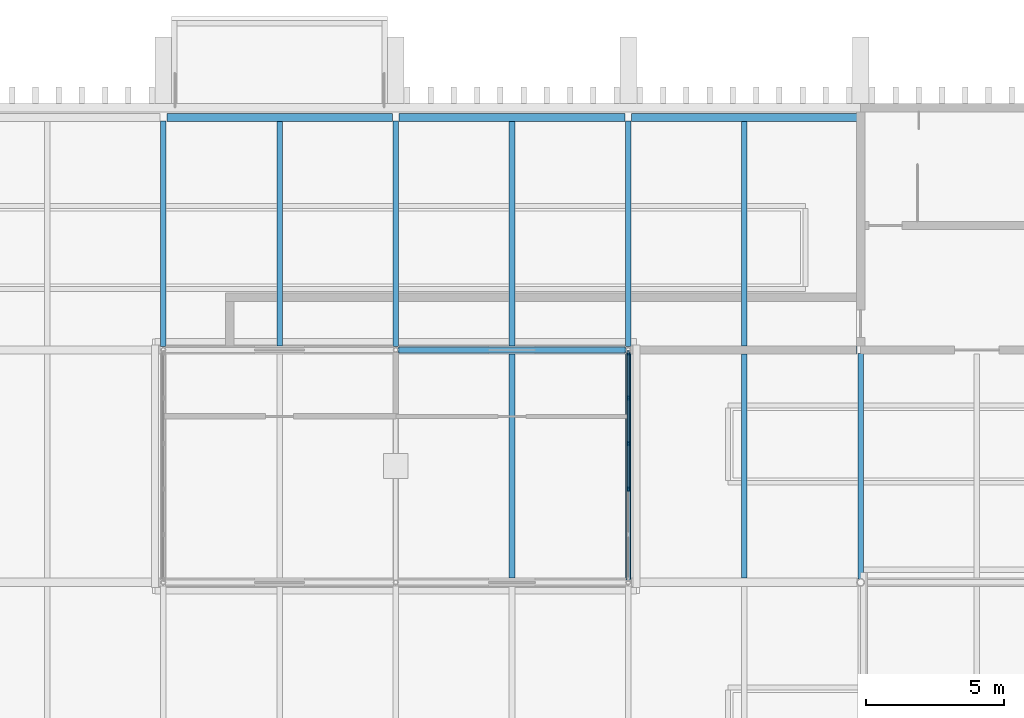
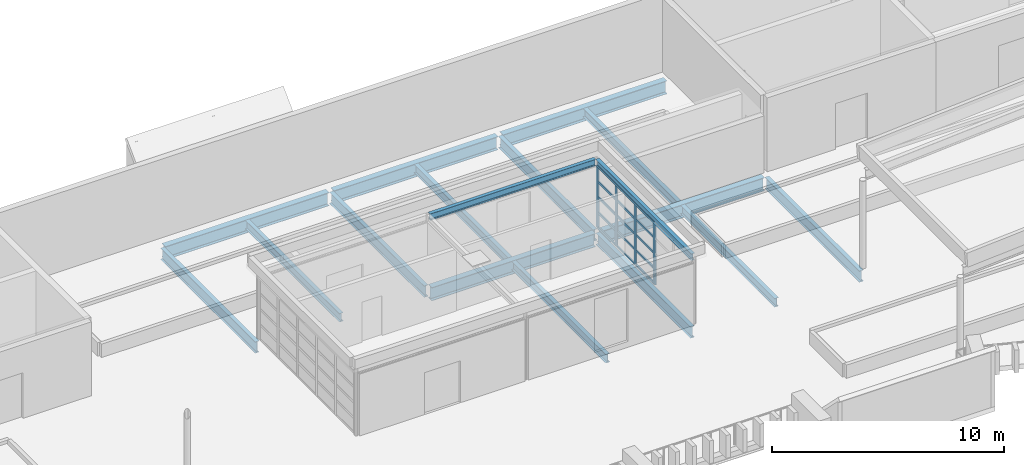
# One storey, part 15 of 51: 19 members, 17 beams, 1 element without a shape of its own.
"""IFC4 building model written with IfcOpenShell, lengths in metres."""

from ifc_helpers import new_model, si_unit, direction, frame, origin, origin_2d, place, context, subcontext, project, spatial, rectangle, i_section, extrude, material, layer, layer_set, material_profile, profile_set, type_object, element, aggregate, save


model = new_model("IFC4")

# Units and contexts
model_context = context("Model", 3, precision=1e-05, world=origin(), true_north=direction((0.0, 1.0)))
body_context = subcontext(model_context, "Body", "Model", "MODEL_VIEW")
ifc_project = project(units=[si_unit("LENGTHUNIT", "METRE"), si_unit("AREAUNIT", "SQUARE_METRE"), si_unit("VOLUMEUNIT", "CUBIC_METRE"), si_unit("PLANEANGLEUNIT", "RADIAN"), si_unit("MASSUNIT", "GRAM", prefix="KILO")], contexts=[model_context])

# Site, building, storey
site_placement = place(None, origin())
site = spatial("IfcSite", under=ifc_project, at=site_placement, CompositionType="ELEMENT")
building_placement = place(site_placement, origin())
building = spatial("IfcBuilding", under=site, at=building_placement, Name="Cresset Court Congress Hotel", CompositionType="ELEMENT")
storey_placement = place(building_placement, frame((0.0, 0.0, 18.60009765625)))
storey = spatial("IfcBuildingStorey", under=building, at=storey_placement, Name="L04", CompositionType="ELEMENT", Elevation=18.60009765625)

# Curtain wall, members
ifc_material_1 = material(Name="Aluminium frame with double glazing", Category="aluminium")
ifc_layer = layer(ifc_material_1, 0.199951171875)
ifc_layer_set = layer_set([ifc_layer], Name="Pavilion curtain wall 1680 module")
curtain_wall_type = type_object("IfcCurtainWallType", Name="Pavilion curtain wall 1680 module", PredefinedType="NOTDEFINED", material=ifc_layer_set)
curtain_wall_placement = place(storey_placement, origin())
curtain_wall = element("IfcCurtainWall", 1, at=curtain_wall_placement, inside=storey, type_object=curtain_wall_type, Name="Pavilion glazed front E", PredefinedType="NOTDEFINED")
ifc_material_2 = material(Name="Aluminium", Category="aluminium")
ifc_material_profile_1 = material_profile(ifc_material_2, rectangle(XDim=0.06005859375, YDim=0.159912109375, at=origin_2d()), Name="Box mullion 60x160")
ifc_profile_set_1 = profile_set([ifc_material_profile_1], Name="Aluminium")
member_type_1 = type_object("IfcMemberType", Name="Box mullion 60x160", PredefinedType="MULLION", material=ifc_profile_set_1)
member_1_placement = place(storey_placement, frame((92.39990234375, 11.77685546875, 0.0), z_axis=(0.0, 0.0, 1.0), x_axis=(-1.0, 0.0, 0.0)))
member_1 = element("IfcMember", 2, at=member_1_placement, type_object=member_type_1, Name="B-X2 mullion 3", PredefinedType="MULLION", context=body_context, shape_type="SweptSolid", body=[
    extrude(rectangle(XDim=0.06005859375, YDim=0.159912109375, at=origin_2d()), origin(), (0.0, 0.0, 1.0), 3.25390625),
])
member_2_placement = place(storey_placement, frame((92.39990234375, 13.423095703125, 0.0), z_axis=(0.0, 0.0, 1.0), x_axis=(-1.0, 0.0, 0.0)))
member_2 = element("IfcMember", 3, at=member_2_placement, type_object=member_type_1, Name="B-X2 mullion 4", PredefinedType="MULLION", context=body_context, shape_type="SweptSolid", body=[
    extrude(rectangle(XDim=0.06005859375, YDim=0.159912109375, at=origin_2d()), origin(), (0.0, 0.0, 1.0), 3.25390625),
])
member_3_placement = place(storey_placement, frame((92.39990234375, 15.069580078125, 0.0), z_axis=(0.0, 0.0, 1.0), x_axis=(-1.0, 0.0, 0.0)))
member_3 = element("IfcMember", 4, at=member_3_placement, type_object=member_type_1, Name="B-X2 mullion 5", PredefinedType="MULLION", context=body_context, shape_type="SweptSolid", body=[
    extrude(rectangle(XDim=0.06005859375, YDim=0.159912109375, at=origin_2d()), origin(), (0.0, 0.0, 1.0), 3.25390625),
])
member_4_placement = place(storey_placement, frame((92.39990234375, 16.68603515625, 0.0), z_axis=(0.0, 0.0, 1.0), x_axis=(-1.0, 0.0, 0.0)))
member_4 = element("IfcMember", 5, at=member_4_placement, type_object=member_type_1, Name="B-X2 mullion 6", PredefinedType="MULLION", context=body_context, shape_type="SweptSolid", body=[
    extrude(rectangle(XDim=0.06005859375, YDim=0.159912109375, at=origin_2d()), origin(), (0.0, 0.0, 1.0), 3.25390625),
])
ifc_material_3 = material(Name="Aluminium", Category="aluminium")
ifc_material_profile_2 = material_profile(ifc_material_3, rectangle(XDim=0.06005859375, YDim=0.1201171875, at=origin_2d()), Name="Box transom 60x120")
ifc_profile_set_2 = profile_set([ifc_material_profile_2], Name="Aluminium")
member_type_2 = type_object("IfcMemberType", Name="Box transom 60x120", PredefinedType="USERDEFINED", material=ifc_profile_set_2)
member_5_placement = place(storey_placement, frame((92.39990234375, 11.806884765625, 0.02978515625), z_axis=(0.0, 1.0, 0.0), x_axis=(-1.0, 0.0, 0.0)))
member_5 = element("IfcMember", 6, at=member_5_placement, type_object=member_type_2, Name="B-X2 transom 3.1", ObjectType="TRANSOM", PredefinedType="USERDEFINED", context=body_context, shape_type="SweptSolid", body=[
    extrude(rectangle(XDim=0.06005859375, YDim=0.1201171875, at=origin_2d()), origin(), (0.0, 0.0, 1.0), 1.58642578125),
])
member_6_placement = place(storey_placement, frame((92.39990234375, 11.806884765625, 0.8134765625), z_axis=(0.0, 1.0, 0.0), x_axis=(-1.0, 0.0, 0.0)))
member_6 = element("IfcMember", 7, at=member_6_placement, type_object=member_type_2, Name="B-X2 transom 3.2", ObjectType="TRANSOM", PredefinedType="USERDEFINED", context=body_context, shape_type="SweptSolid", body=[
    extrude(rectangle(XDim=0.06005859375, YDim=0.1201171875, at=origin_2d()), origin(), (0.0, 0.0, 1.0), 1.58642578125),
])
member_7_placement = place(storey_placement, frame((92.39990234375, 11.806884765625, 1.626953125), z_axis=(0.0, 1.0, 0.0), x_axis=(-1.0, 0.0, 0.0)))
member_7 = element("IfcMember", 8, at=member_7_placement, type_object=member_type_2, Name="B-X2 transom 3.3", ObjectType="TRANSOM", PredefinedType="USERDEFINED", context=body_context, shape_type="SweptSolid", body=[
    extrude(rectangle(XDim=0.06005859375, YDim=0.1201171875, at=origin_2d()), origin(), (0.0, 0.0, 1.0), 1.58642578125),
])
member_8_placement = place(storey_placement, frame((92.39990234375, 11.806884765625, 2.4404296875), z_axis=(0.0, 1.0, 0.0), x_axis=(-1.0, 0.0, 0.0)))
member_8 = element("IfcMember", 9, at=member_8_placement, type_object=member_type_2, Name="B-X2 transom 3.4", ObjectType="TRANSOM", PredefinedType="USERDEFINED", context=body_context, shape_type="SweptSolid", body=[
    extrude(rectangle(XDim=0.06005859375, YDim=0.1201171875, at=origin_2d()), origin(), (0.0, 0.0, 1.0), 1.58642578125),
])
member_9_placement = place(storey_placement, frame((92.39990234375, 11.806884765625, 3.223876953125), z_axis=(0.0, 1.0, 0.0), x_axis=(-1.0, 0.0, 0.0)))
member_9 = element("IfcMember", 10, at=member_9_placement, type_object=member_type_2, Name="B-X2 transom 3.5", ObjectType="TRANSOM", PredefinedType="USERDEFINED", context=body_context, shape_type="SweptSolid", body=[
    extrude(rectangle(XDim=0.06005859375, YDim=0.1201171875, at=origin_2d()), origin(), (0.0, 0.0, 1.0), 1.58642578125),
])
member_10_placement = place(storey_placement, frame((92.39990234375, 13.453125, 0.02978515625), z_axis=(0.0, 1.0, 0.0), x_axis=(-1.0, 0.0, 0.0)))
member_10 = element("IfcMember", 11, at=member_10_placement, type_object=member_type_2, Name="B-X2 transom 4.1", ObjectType="TRANSOM", PredefinedType="USERDEFINED", context=body_context, shape_type="SweptSolid", body=[
    extrude(rectangle(XDim=0.06005859375, YDim=0.1201171875, at=origin_2d()), origin(), (0.0, 0.0, 1.0), 1.58642578125),
])
member_11_placement = place(storey_placement, frame((92.39990234375, 13.453125, 0.8134765625), z_axis=(0.0, 1.0, 0.0), x_axis=(-1.0, 0.0, 0.0)))
member_11 = element("IfcMember", 12, at=member_11_placement, type_object=member_type_2, Name="B-X2 transom 4.2", ObjectType="TRANSOM", PredefinedType="USERDEFINED", context=body_context, shape_type="SweptSolid", body=[
    extrude(rectangle(XDim=0.06005859375, YDim=0.1201171875, at=origin_2d()), origin(), (0.0, 0.0, 1.0), 1.58642578125),
])
member_12_placement = place(storey_placement, frame((92.39990234375, 13.453125, 1.626953125), z_axis=(0.0, 1.0, 0.0), x_axis=(-1.0, 0.0, 0.0)))
member_12 = element("IfcMember", 13, at=member_12_placement, type_object=member_type_2, Name="B-X2 transom 4.3", ObjectType="TRANSOM", PredefinedType="USERDEFINED", context=body_context, shape_type="SweptSolid", body=[
    extrude(rectangle(XDim=0.06005859375, YDim=0.1201171875, at=origin_2d()), origin(), (0.0, 0.0, 1.0), 1.58642578125),
])
member_13_placement = place(storey_placement, frame((92.39990234375, 13.453125, 2.4404296875), z_axis=(0.0, 1.0, 0.0), x_axis=(-1.0, 0.0, 0.0)))
member_13 = element("IfcMember", 14, at=member_13_placement, type_object=member_type_2, Name="B-X2 transom 4.4", ObjectType="TRANSOM", PredefinedType="USERDEFINED", context=body_context, shape_type="SweptSolid", body=[
    extrude(rectangle(XDim=0.06005859375, YDim=0.1201171875, at=origin_2d()), origin(), (0.0, 0.0, 1.0), 1.58642578125),
])
member_14_placement = place(storey_placement, frame((92.39990234375, 13.453125, 3.223876953125), z_axis=(0.0, 1.0, 0.0), x_axis=(-1.0, 0.0, 0.0)))
member_14 = element("IfcMember", 15, at=member_14_placement, type_object=member_type_2, Name="B-X2 transom 4.5", ObjectType="TRANSOM", PredefinedType="USERDEFINED", context=body_context, shape_type="SweptSolid", body=[
    extrude(rectangle(XDim=0.06005859375, YDim=0.1201171875, at=origin_2d()), origin(), (0.0, 0.0, 1.0), 1.58642578125),
])
member_15_placement = place(storey_placement, frame((92.39990234375, 15.099609375, 0.02978515625), z_axis=(0.0, 1.0, 0.0), x_axis=(-1.0, 0.0, 0.0)))
member_15 = element("IfcMember", 16, at=member_15_placement, type_object=member_type_2, Name="B-X2 transom 5.1", ObjectType="TRANSOM", PredefinedType="USERDEFINED", context=body_context, shape_type="SweptSolid", body=[
    extrude(rectangle(XDim=0.06005859375, YDim=0.1201171875, at=origin_2d()), origin(), (0.0, 0.0, 1.0), 1.556396484375),
])
member_16_placement = place(storey_placement, frame((92.39990234375, 15.099609375, 0.8134765625), z_axis=(0.0, 1.0, 0.0), x_axis=(-1.0, 0.0, 0.0)))
member_16 = element("IfcMember", 17, at=member_16_placement, type_object=member_type_2, Name="B-X2 transom 5.2", ObjectType="TRANSOM", PredefinedType="USERDEFINED", context=body_context, shape_type="SweptSolid", body=[
    extrude(rectangle(XDim=0.06005859375, YDim=0.1201171875, at=origin_2d()), origin(), (0.0, 0.0, 1.0), 1.556396484375),
])
member_17_placement = place(storey_placement, frame((92.39990234375, 15.099609375, 1.626953125), z_axis=(0.0, 1.0, 0.0), x_axis=(-1.0, 0.0, 0.0)))
member_17 = element("IfcMember", 18, at=member_17_placement, type_object=member_type_2, Name="B-X2 transom 5.3", ObjectType="TRANSOM", PredefinedType="USERDEFINED", context=body_context, shape_type="SweptSolid", body=[
    extrude(rectangle(XDim=0.06005859375, YDim=0.1201171875, at=origin_2d()), origin(), (0.0, 0.0, 1.0), 1.556396484375),
])
member_18_placement = place(storey_placement, frame((92.39990234375, 15.099609375, 2.4404296875), z_axis=(0.0, 1.0, 0.0), x_axis=(-1.0, 0.0, 0.0)))
member_18 = element("IfcMember", 19, at=member_18_placement, type_object=member_type_2, Name="B-X2 transom 5.4", ObjectType="TRANSOM", PredefinedType="USERDEFINED", context=body_context, shape_type="SweptSolid", body=[
    extrude(rectangle(XDim=0.06005859375, YDim=0.1201171875, at=origin_2d()), origin(), (0.0, 0.0, 1.0), 1.556396484375),
])
member_19_placement = place(storey_placement, frame((92.39990234375, 15.099609375, 3.223876953125), z_axis=(0.0, 1.0, 0.0), x_axis=(-1.0, 0.0, 0.0)))
member_19 = element("IfcMember", 20, at=member_19_placement, type_object=member_type_2, Name="B-X2 transom 5.5", ObjectType="TRANSOM", PredefinedType="USERDEFINED", context=body_context, shape_type="SweptSolid", body=[
    extrude(rectangle(XDim=0.06005859375, YDim=0.1201171875, at=origin_2d()), origin(), (0.0, 0.0, 1.0), 1.556396484375),
])
aggregate(curtain_wall, [member_1, member_2, member_3, member_4, member_5, member_6, member_7, member_8, member_9, member_10, member_11, member_12, member_13, member_14, member_15, member_16, member_17, member_18, member_19])

# Beams
ifc_material_4 = material(Name="Structural steel Q355B", Category="steel")
ifc_material_profile_3 = material_profile(ifc_material_4, i_section(OverallWidth=0.174072265625, OverallDepth=0.345947265625, WebThickness=0.006103515625, FlangeThickness=0.009033203125, FilletRadius=0.012939453125, at=origin_2d()), Name="HN346x174x6x9")
ifc_profile_set_3 = profile_set([ifc_material_profile_3], Name="Structural steel Q355B")
beam_type_1 = type_object("IfcBeamType", Name="Pavilion roof beam HN346x174x6x9", PredefinedType="BEAM", material=ifc_profile_set_3)
beam_1_placement = place(storey_placement, frame((84.083984375, 16.800048828125, 3.427001953125), z_axis=(1.0, 0.0, 0.0), x_axis=(0.0, 1.0, 0.0)))
element("IfcBeam", 21, at=beam_1_placement, inside=storey, type_object=beam_type_1, Name="Pavilion roof beam", PredefinedType="BEAM", context=body_context, shape_type="SweptSolid", body=[
    extrude(i_section(OverallWidth=0.174072265625, OverallDepth=0.345947265625, WebThickness=0.006103515625, FlangeThickness=0.009033203125, FilletRadius=0.012939453125, at=origin_2d()), origin(), (0.0, 0.0, 1.0), 8.23193359375),
])
beam_2_placement = place(storey_placement, frame((92.39990234375, 8.48388671875, 3.427001953125), z_axis=(0.0, 1.0, 0.0), x_axis=(-1.0, 0.0, 0.0)))
element("IfcBeam", 22, at=beam_2_placement, inside=storey, type_object=beam_type_1, Name="Pavilion roof beam", PredefinedType="BEAM", context=body_context, shape_type="SweptSolid", body=[
    extrude(i_section(OverallWidth=0.174072265625, OverallDepth=0.345947265625, WebThickness=0.006103515625, FlangeThickness=0.009033203125, FilletRadius=0.012939453125, at=origin_2d()), origin(), (0.0, 0.0, 1.0), 8.232177734375),
])
ifc_material_5 = material(Name="Structural steel Q355B", Category="steel")
ifc_material_profile_4 = material_profile(ifc_material_5, i_section(OverallWidth=0.199951171875, OverallDepth=0.60009765625, WebThickness=0.010986328125, FlangeThickness=0.01708984375, FilletRadius=0.012939453125, at=origin_2d()), Name="HN600x200x11x17")
ifc_profile_set_4 = profile_set([ifc_material_profile_4], Name="Structural steel Q355B")
beam_type_2 = type_object("IfcBeamType", Name="Steel beam HN600x200x11x17", PredefinedType="BEAM", material=ifc_profile_set_4)
for number, where, z_axis, x_axis, name in (
    (23, (75.60009765625, 16.925048828125, -0.550048828125), (0.0, 1.0, 0.0), (-1.0, 0.0, 0.0), "B.by.L04.10C"),
    (24, (84.0, 16.925048828125, -0.550048828125), (0.0, 1.0, 0.0), (-1.0, 0.0, 0.0), "B.by.L04.11C"),
):
    element("IfcBeam", number, at=place(storey_placement, frame(where, z_axis=z_axis, x_axis=x_axis)), inside=storey, type_object=beam_type_2, Name=name, PredefinedType="BEAM", context=body_context, shape_type="SweptSolid", body=[
        extrude(i_section(OverallWidth=0.199951171875, OverallDepth=0.60009765625, WebThickness=0.010986328125, FlangeThickness=0.01708984375, FilletRadius=0.012939453125, at=origin_2d()), origin(), (0.0, 0.0, 1.0), 8.14990234375),
    ])
beam_3_placement = place(storey_placement, frame((92.39990234375, 8.52490234375, -0.550048828125), z_axis=(0.0, 1.0, 0.0), x_axis=(-1.0, 0.0, 0.0)))
element("IfcBeam", 25, at=beam_3_placement, inside=storey, type_object=beam_type_2, Name="B.by.L04.12B", PredefinedType="BEAM", context=body_context, shape_type="SweptSolid", body=[
    extrude(i_section(OverallWidth=0.199951171875, OverallDepth=0.60009765625, WebThickness=0.010986328125, FlangeThickness=0.01708984375, FilletRadius=0.012939453125, at=origin_2d()), origin(), (0.0, 0.0, 1.0), 8.150146484375),
])
beam_4_placement = place(storey_placement, frame((92.39990234375, 16.925048828125, -0.550048828125), z_axis=(0.0, 1.0, 0.0), x_axis=(-1.0, 0.0, 0.0)))
element("IfcBeam", 26, at=beam_4_placement, inside=storey, type_object=beam_type_2, Name="B.by.L04.12C", PredefinedType="BEAM", context=body_context, shape_type="SweptSolid", body=[
    extrude(i_section(OverallWidth=0.199951171875, OverallDepth=0.60009765625, WebThickness=0.010986328125, FlangeThickness=0.01708984375, FilletRadius=0.012939453125, at=origin_2d()), origin(), (0.0, 0.0, 1.0), 8.14990234375),
])
beam_5_placement = place(storey_placement, frame((100.800048828125, 8.52490234375, -0.550048828125), z_axis=(0.0, 1.0, 0.0), x_axis=(-1.0, 0.0, 0.0)))
element("IfcBeam", 27, at=beam_5_placement, inside=storey, type_object=beam_type_2, Name="B.by.L04.13B", PredefinedType="BEAM", context=body_context, shape_type="SweptSolid", body=[
    extrude(i_section(OverallWidth=0.199951171875, OverallDepth=0.60009765625, WebThickness=0.010986328125, FlangeThickness=0.01708984375, FilletRadius=0.012939453125, at=origin_2d()), origin(), (0.0, 0.0, 1.0), 8.150146484375),
])
ifc_material_6 = material(Name="Structural steel Q355B", Category="steel")
ifc_material_profile_5 = material_profile(ifc_material_6, i_section(OverallWidth=0.300048828125, OverallDepth=0.699951171875, WebThickness=0.012939453125, FlangeThickness=0.02392578125, FilletRadius=0.01806640625, at=origin_2d()), Name="HN700x300x13x24")
ifc_profile_set_5 = profile_set([ifc_material_profile_5], Name="Structural steel Q355B")
beam_type_3 = type_object("IfcBeamType", Name="Steel beam HN700x300x13x24", PredefinedType="BEAM", material=ifc_profile_set_5)
beam_6_placement = place(storey_placement, frame((84.125, 16.800048828125, -0.60009765625), z_axis=(1.0, 0.0, 0.0), x_axis=(0.0, 1.0, 0.0)))
element("IfcBeam", 28, at=beam_6_placement, inside=storey, type_object=beam_type_3, Name="B.bx.L04.C11", PredefinedType="BEAM", context=body_context, shape_type="SweptSolid", body=[
    extrude(i_section(OverallWidth=0.300048828125, OverallDepth=0.699951171875, WebThickness=0.012939453125, FlangeThickness=0.02392578125, FilletRadius=0.01806640625, at=origin_2d()), origin(), (0.0, 0.0, 1.0), 8.14990234375),
])
beam_7_placement = place(storey_placement, frame((92.52490234375, 16.800048828125, -0.60009765625), z_axis=(1.0, 0.0, 0.0), x_axis=(0.0, 1.0, 0.0)))
element("IfcBeam", 29, at=beam_7_placement, inside=storey, type_object=beam_type_3, Name="B.bx.L04.C12", PredefinedType="BEAM", context=body_context, shape_type="SweptSolid", body=[
    extrude(i_section(OverallWidth=0.300048828125, OverallDepth=0.699951171875, WebThickness=0.012939453125, FlangeThickness=0.02392578125, FilletRadius=0.01806640625, at=origin_2d()), origin(), (0.0, 0.0, 1.0), 8.150146484375),
])
for number, where, z_axis, x_axis, name in (
    (30, (75.72509765625, 25.199951171875, -0.60009765625), (1.0, 0.0, 0.0), (0.0, 1.0, 0.0), "B.bx.L04.D10"),
    (31, (84.125, 25.199951171875, -0.60009765625), (1.0, 0.0, 0.0), (0.0, 1.0, 0.0), "B.bx.L04.D11"),
):
    element("IfcBeam", number, at=place(storey_placement, frame(where, z_axis=z_axis, x_axis=x_axis)), inside=storey, type_object=beam_type_3, Name=name, PredefinedType="BEAM", context=body_context, shape_type="SweptSolid", body=[
        extrude(i_section(OverallWidth=0.300048828125, OverallDepth=0.699951171875, WebThickness=0.012939453125, FlangeThickness=0.02392578125, FilletRadius=0.01806640625, at=origin_2d()), origin(), (0.0, 0.0, 1.0), 8.14990234375),
    ])
beam_8_placement = place(storey_placement, frame((92.52490234375, 25.199951171875, -0.60009765625), z_axis=(1.0, 0.0, 0.0), x_axis=(0.0, 1.0, 0.0)))
element("IfcBeam", 32, at=beam_8_placement, inside=storey, type_object=beam_type_3, Name="B.bx.L04.D12", PredefinedType="BEAM", context=body_context, shape_type="SweptSolid", body=[
    extrude(i_section(OverallWidth=0.300048828125, OverallDepth=0.699951171875, WebThickness=0.012939453125, FlangeThickness=0.02392578125, FilletRadius=0.01806640625, at=origin_2d()), origin(), (0.0, 0.0, 1.0), 8.150146484375),
])
ifc_material_7 = material(Name="Structural steel Q355B", Category="steel")
ifc_material_profile_6 = material_profile(ifc_material_7, i_section(OverallWidth=0.199951171875, OverallDepth=0.449951171875, WebThickness=0.009033203125, FlangeThickness=0.013916015625, FilletRadius=0.012939453125, at=origin_2d()), Name="HN450x200x9x14")
ifc_profile_set_6 = profile_set([ifc_material_profile_6], Name="Structural steel Q355B")
beam_type_4 = type_object("IfcBeamType", Name="Steel joist HN450x200x9x14", PredefinedType="JOIST", material=ifc_profile_set_6)
beam_9_placement = place(storey_placement, frame((79.800048828125, 16.949951171875, -0.47509765625), z_axis=(0.0, 1.0, 0.0), x_axis=(-1.0, 0.0, 0.0)))
element("IfcBeam", 33, at=beam_9_placement, inside=storey, type_object=beam_type_4, Name="B.bj.L04.10C", PredefinedType="JOIST", context=body_context, shape_type="SweptSolid", body=[
    extrude(i_section(OverallWidth=0.199951171875, OverallDepth=0.449951171875, WebThickness=0.009033203125, FlangeThickness=0.013916015625, FilletRadius=0.012939453125, at=origin_2d()), origin(), (0.0, 0.0, 1.0), 8.10009765625),
])
beam_10_placement = place(storey_placement, frame((88.199951171875, 8.550048828125, -0.47509765625), z_axis=(0.0, 1.0, 0.0), x_axis=(-1.0, 0.0, 0.0)))
element("IfcBeam", 34, at=beam_10_placement, inside=storey, type_object=beam_type_4, Name="B.bj.L04.11B", PredefinedType="JOIST", context=body_context, shape_type="SweptSolid", body=[
    extrude(i_section(OverallWidth=0.199951171875, OverallDepth=0.449951171875, WebThickness=0.009033203125, FlangeThickness=0.013916015625, FilletRadius=0.012939453125, at=origin_2d()), origin(), (0.0, 0.0, 1.0), 8.099853515625),
])
beam_11_placement = place(storey_placement, frame((88.199951171875, 16.949951171875, -0.47509765625), z_axis=(0.0, 1.0, 0.0), x_axis=(-1.0, 0.0, 0.0)))
element("IfcBeam", 35, at=beam_11_placement, inside=storey, type_object=beam_type_4, Name="B.bj.L04.11C", PredefinedType="JOIST", context=body_context, shape_type="SweptSolid", body=[
    extrude(i_section(OverallWidth=0.199951171875, OverallDepth=0.449951171875, WebThickness=0.009033203125, FlangeThickness=0.013916015625, FilletRadius=0.012939453125, at=origin_2d()), origin(), (0.0, 0.0, 1.0), 8.10009765625),
])
beam_12_placement = place(storey_placement, frame((96.60009765625, 8.550048828125, -0.47509765625), z_axis=(0.0, 1.0, 0.0), x_axis=(-1.0, 0.0, 0.0)))
element("IfcBeam", 36, at=beam_12_placement, inside=storey, type_object=beam_type_4, Name="B.bj.L04.12B", PredefinedType="JOIST", context=body_context, shape_type="SweptSolid", body=[
    extrude(i_section(OverallWidth=0.199951171875, OverallDepth=0.449951171875, WebThickness=0.009033203125, FlangeThickness=0.013916015625, FilletRadius=0.012939453125, at=origin_2d()), origin(), (0.0, 0.0, 1.0), 8.099853515625),
])
beam_13_placement = place(storey_placement, frame((96.60009765625, 16.949951171875, -0.47509765625), z_axis=(0.0, 1.0, 0.0), x_axis=(-1.0, 0.0, 0.0)))
element("IfcBeam", 37, at=beam_13_placement, inside=storey, type_object=beam_type_4, Name="B.bj.L04.12C", PredefinedType="JOIST", context=body_context, shape_type="SweptSolid", body=[
    extrude(i_section(OverallWidth=0.199951171875, OverallDepth=0.449951171875, WebThickness=0.009033203125, FlangeThickness=0.013916015625, FilletRadius=0.012939453125, at=origin_2d()), origin(), (0.0, 0.0, 1.0), 8.10009765625),
])

save(model, "model.ifc")
